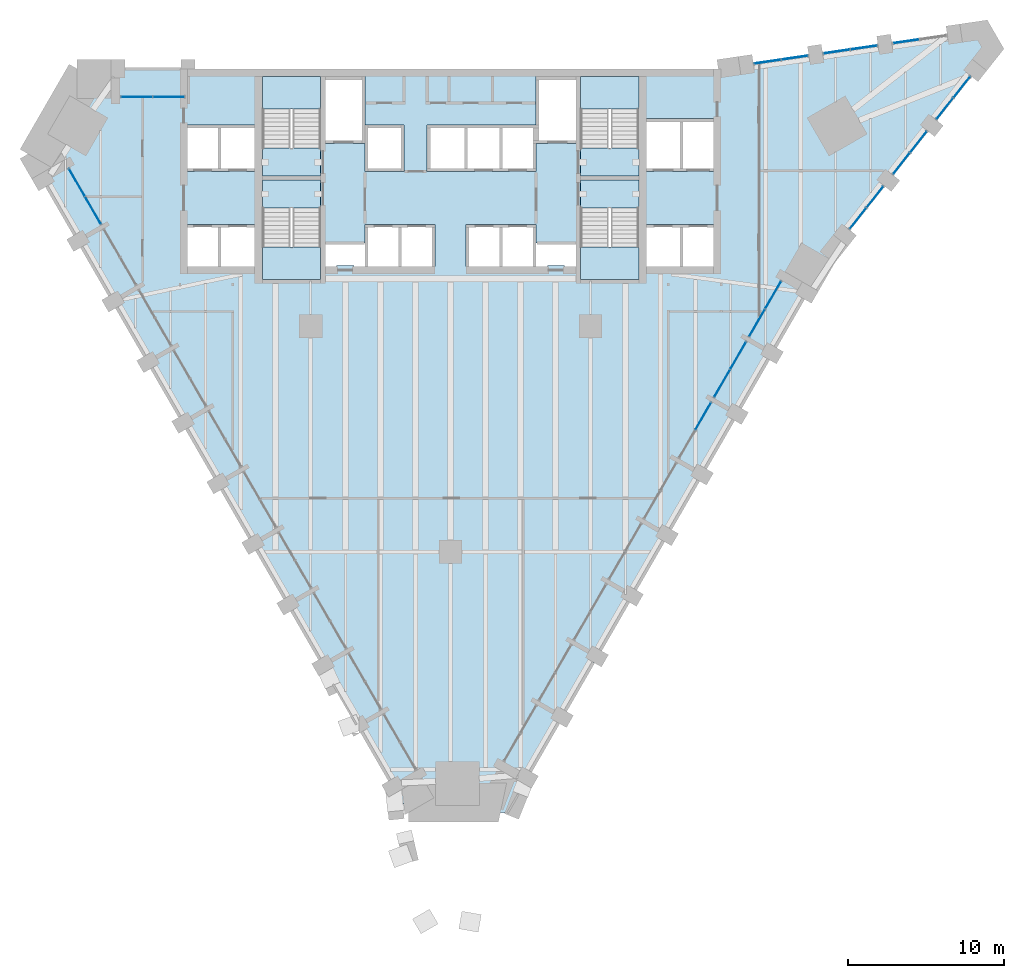
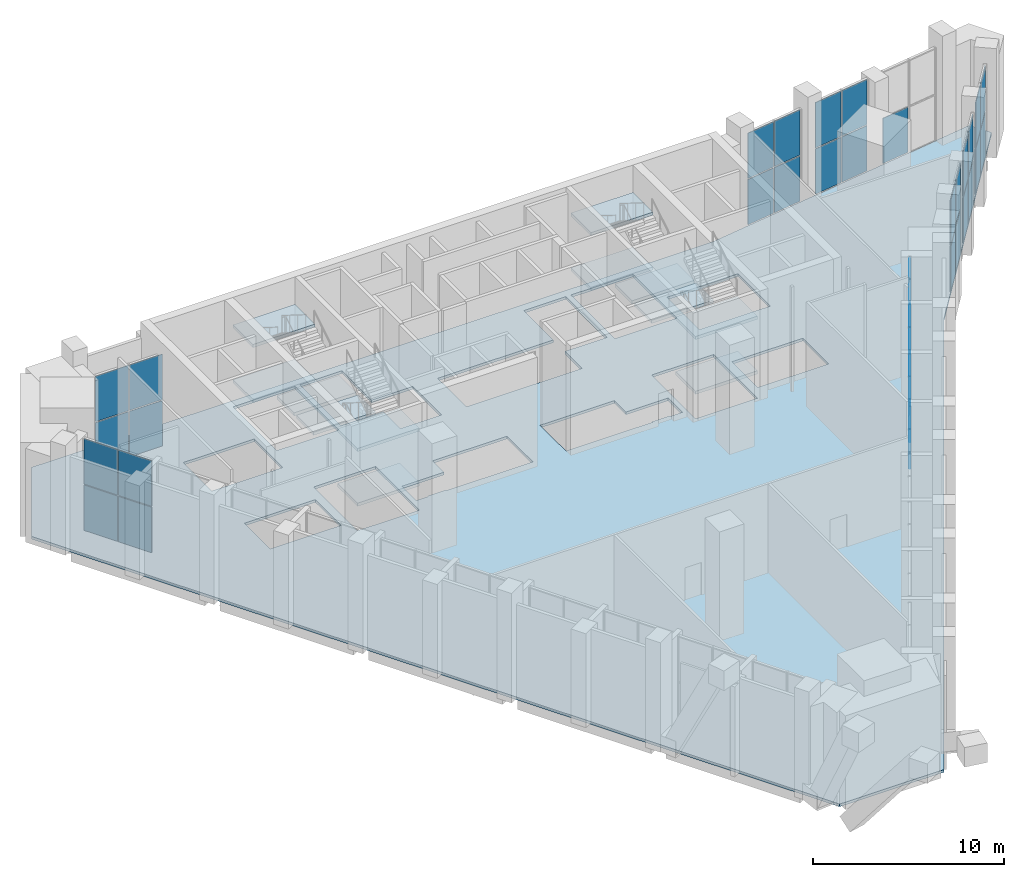
# One storey, part 10 of 17: 39 plates, 13 slabs, 15 elements without a shape of their own.
"""IFC4 building model written with IfcOpenShell, lengths in metres."""

from ifc_helpers import new_model, si_unit, direction, frame, origin, origin_2d, place, context, subcontext, project, spatial, polyline, rectangle, outline, extrude, material, layer, layer_set, type_object, element, aggregate, save


model = new_model("IFC4")

# Units and contexts
model_context = context("Model", 3, precision=1e-05, world=origin(), true_north=direction((0.0, 1.0)))
body_context = subcontext(model_context, "Body", "Model", "MODEL_VIEW")
ifc_project = project(units=[si_unit("LENGTHUNIT", "METRE"), si_unit("AREAUNIT", "SQUARE_METRE"), si_unit("VOLUMEUNIT", "CUBIC_METRE"), si_unit("PLANEANGLEUNIT", "RADIAN"), si_unit("MASSUNIT", "GRAM", prefix="KILO")], contexts=[model_context])

# Site, building, storey
site_placement = place(None, origin())
site = spatial("IfcSite", under=ifc_project, at=site_placement, CompositionType="ELEMENT")
building_placement = place(site_placement, origin())
building = spatial("IfcBuilding", under=site, at=building_placement, Name="Calabash Gate Tower", CompositionType="ELEMENT")
storey_placement = place(building_placement, frame((0.0, 0.0, 132.60009765625)))
storey = spatial("IfcBuildingStorey", under=building, at=storey_placement, Name="L31", CompositionType="ELEMENT", Elevation=132.60009765625)

# Slab
ifc_material_1 = material(Name="Concrete C40/50", Category="concrete")
ifc_layer_1 = layer(ifc_material_1, 0.169921875)
ifc_layer_set_1 = layer_set([ifc_layer_1], Name="Composite floor slab 170 Concrete C40/50")
slab_type_1 = type_object("IfcSlabType", Name="Composite floor slab 170 Concrete C40/50", PredefinedType="FLOOR", material=ifc_layer_set_1)
slab_1_placement = place(storey_placement, frame((0.0, 0.0, -0.170166015625)))
element("IfcSlab", 1, at=slab_1_placement, inside=storey, type_object=slab_type_1, Name="Floor slab L31", PredefinedType="FLOOR", context=body_context, shape_type="SweptSolid", body=[
    extrude(outline(polyline([(-27.162353515625, 13.581787109375), (-24.00390625, 19.052490234375), (17.2099609375, 19.052490234375), (34.192138671875, 21.54150390625), (34.856689453125, 20.390625), (24.2099609375, 6.92822265625), (3.60302734375, -28.76416015625), (-2.7138671875, -28.76416015625), (-27.162353515625, 13.581787109375)]), holes=[polyline([(-5.5, 9.052490234375), (-5.5, 7.8525390625), (-8.050048828125, 7.8525390625), (-8.050048828125, 6.3525390625), (-7.324951171875, 6.3525390625), (-7.324951171875, 6.402587890625), (-6.22509765625, 6.402587890625), (-6.22509765625, 6.3525390625), (-5.5, 6.3525390625), (-3.25, 6.3525390625), (-1.0, 6.3525390625), (-1.0, 9.052490234375), (-3.25, 9.052490234375), (-5.5, 9.052490234375)]), polyline([(5.5, 9.052490234375), (3.25, 9.052490234375), (1.0, 9.052490234375), (1.0, 6.3525390625), (3.25, 6.3525390625), (5.5, 6.3525390625), (6.22509765625, 6.3525390625), (6.22509765625, 6.402587890625), (7.324951171875, 6.402587890625), (7.324951171875, 6.3525390625), (8.050048828125, 6.3525390625), (8.050048828125, 7.8525390625), (5.5, 7.8525390625), (5.5, 9.052490234375)]), polyline([(-5.5, 14.252685546875), (-5.5, 12.45263671875), (-3.0, 12.45263671875), (-3.0, 15.45263671875), (-5.5, 15.45263671875), (-5.5, 18.552490234375), (-8.050048828125, 18.552490234375), (-8.050048828125, 14.252685546875), (-5.5, 14.252685546875)]), polyline([(8.050048828125, 18.552490234375), (5.5, 18.552490234375), (5.5, 15.45263671875), (3.25, 15.45263671875), (1.0, 15.45263671875), (-1.5, 15.45263671875), (-1.5, 12.45263671875), (1.0, 12.45263671875), (3.25, 12.45263671875), (5.5, 12.45263671875), (5.5, 14.252685546875), (8.050048828125, 14.252685546875), (8.050048828125, 18.552490234375)]), polyline([(-12.60009765625, 6.3525390625), (-12.60009765625, 9.052490234375), (-14.85009765625, 9.052490234375), (-16.89990234375, 9.052490234375), (-16.89990234375, 6.3525390625), (-14.85009765625, 6.3525390625), (-12.60009765625, 6.3525390625)]), polyline([(-14.85009765625, 12.45263671875), (-12.60009765625, 12.45263671875), (-12.60009765625, 15.45263671875), (-14.85009765625, 15.45263671875), (-16.89990234375, 15.45263671875), (-16.89990234375, 12.45263671875), (-14.85009765625, 12.45263671875)]), polyline([(14.85009765625, 6.3525390625), (16.89990234375, 6.3525390625), (16.89990234375, 9.052490234375), (14.85009765625, 9.052490234375), (12.60009765625, 9.052490234375), (12.60009765625, 6.3525390625), (14.85009765625, 6.3525390625)]), polyline([(14.85009765625, 12.45263671875), (16.89990234375, 12.45263671875), (16.89990234375, 15.8525390625), (14.85009765625, 15.8525390625), (12.60009765625, 15.8525390625), (12.60009765625, 12.45263671875), (14.85009765625, 12.45263671875)]), polyline([(-8.35009765625, 18.552490234375), (-12.10009765625, 18.552490234375), (-12.10009765625, 13.95263671875), (-8.35009765625, 13.95263671875), (-8.35009765625, 18.552490234375)]), polyline([(-12.10009765625, 10.1025390625), (-12.10009765625, 5.502685546875), (-8.35009765625, 5.502685546875), (-8.35009765625, 10.1025390625), (-12.10009765625, 10.1025390625)]), polyline([(8.35009765625, 13.95263671875), (12.10009765625, 13.95263671875), (12.10009765625, 18.552490234375), (8.35009765625, 18.552490234375), (8.35009765625, 13.95263671875)]), polyline([(12.10009765625, 5.502685546875), (12.10009765625, 10.1025390625), (8.35009765625, 10.1025390625), (8.35009765625, 5.502685546875), (12.10009765625, 5.502685546875)])]), origin(), (0.0, 0.0, 1.0), 0.170166015625),
])

# Curtain wall, plates
ifc_material_2 = material(Name="Anodised aluminium frame, bronze finish, clear laminated low-emissivity glazing", Category="aluminium")
curtain_wall_type_1 = type_object("IfcCurtainWallType", Name="Curtain wall CWS sky lobby wall", PredefinedType="NOTDEFINED", material=ifc_material_2)
curtain_wall_1_placement = place(storey_placement, origin())
curtain_wall_1 = element("IfcCurtainWall", 2, at=curtain_wall_1_placement, inside=storey, type_object=curtain_wall_type_1, Name="Curtain wall CWS L31 SW0.1", PredefinedType="NOTDEFINED")
ifc_material_3 = material(Name="Clear laminated low-emissivity glazing", Category="glass")
ifc_layer_2 = layer(ifc_material_3, 0.035888671875)
ifc_layer_set_2 = layer_set([ifc_layer_2], Name="Glass panel CWS 36")
plate_type_1 = type_object("IfcPlateType", Name="Glass panel CWS 36", PredefinedType="CURTAIN_PANEL", material=ifc_layer_set_2)
plate_1_placement = place(storey_placement, frame((-24.021240234375, 11.7412109375, 0.06494140625), z_axis=(0.0, 0.0, 1.0), x_axis=(0.500000071751, -0.866025362359, 0.0)))
plate_1 = element("IfcPlate", 3, at=plate_1_placement, type_object=plate_type_1, Name="CWS panel 1.1", PredefinedType="CURTAIN_PANEL", context=body_context, shape_type="SweptSolid", body=[
    extrude(rectangle(XDim=2.00244140625, YDim=0.035888671875, at=origin_2d()), origin(), (0.0, 0.0, 1.0), 2.902587890625),
])
plate_2_placement = place(storey_placement, frame((-24.021240234375, 11.7412109375, 3.0322265625), z_axis=(0.0, 0.0, 1.0), x_axis=(0.500000071751, -0.866025362359, 0.0)))
plate_2 = element("IfcPlate", 4, at=plate_2_placement, type_object=plate_type_1, Name="CWS panel 1.2", PredefinedType="CURTAIN_PANEL", context=body_context, shape_type="SweptSolid", body=[
    extrude(rectangle(XDim=2.00244140625, YDim=0.035888671875, at=origin_2d()), origin(), (0.0, 0.0, 1.0), 2.902587890625),
])
plate_3_placement = place(storey_placement, frame((-22.987548828125, 9.95068359375, 0.06494140625), z_axis=(0.0, 0.0, 1.0), x_axis=(0.500000071751, -0.866025362359, 0.0)))
plate_3 = element("IfcPlate", 5, at=plate_3_placement, type_object=plate_type_1, Name="CWS panel 2.1", PredefinedType="CURTAIN_PANEL", context=body_context, shape_type="SweptSolid", body=[
    extrude(rectangle(XDim=2.00244140625, YDim=0.035888671875, at=origin_2d()), origin(), (0.0, 0.0, 1.0), 2.902587890625),
])
plate_4_placement = place(storey_placement, frame((-22.987548828125, 9.95068359375, 3.0322265625), z_axis=(0.0, 0.0, 1.0), x_axis=(0.500000071751, -0.866025362359, 0.0)))
plate_4 = element("IfcPlate", 6, at=plate_4_placement, type_object=plate_type_1, Name="CWS panel 2.2", PredefinedType="CURTAIN_PANEL", context=body_context, shape_type="SweptSolid", body=[
    extrude(rectangle(XDim=2.00244140625, YDim=0.035888671875, at=origin_2d()), origin(), (0.0, 0.0, 1.0), 2.902587890625),
])
aggregate(curtain_wall_1, [plate_1, plate_2, plate_3, plate_4])

curtain_wall_2_placement = place(storey_placement, origin())
curtain_wall_2 = element("IfcCurtainWall", 7, at=curtain_wall_2_placement, inside=storey, type_object=curtain_wall_type_1, Name="Curtain wall CWS L31 SE2.6", PredefinedType="NOTDEFINED")
plate_5_placement = place(storey_placement, frame((16.239501953125, -3.277099609375, 0.06494140625), z_axis=(0.0, 0.0, 1.0), x_axis=(0.499999968652, 0.866025421884, 0.0)))
plate_5 = element("IfcPlate", 8, at=plate_5_placement, type_object=plate_type_1, Name="CWS panel 2.1", PredefinedType="CURTAIN_PANEL", context=body_context, shape_type="SweptSolid", body=[
    extrude(rectangle(XDim=2.00244140625, YDim=0.035888671875, at=origin_2d()), origin(), (0.0, 0.0, 1.0), 2.902587890625),
])
plate_6_placement = place(storey_placement, frame((16.239501953125, -3.277099609375, 3.0322265625), z_axis=(0.0, 0.0, 1.0), x_axis=(0.499999968652, 0.866025421884, 0.0)))
plate_6 = element("IfcPlate", 9, at=plate_6_placement, type_object=plate_type_1, Name="CWS panel 2.2", PredefinedType="CURTAIN_PANEL", context=body_context, shape_type="SweptSolid", body=[
    extrude(rectangle(XDim=2.00244140625, YDim=0.035888671875, at=origin_2d()), origin(), (0.0, 0.0, 1.0), 2.902587890625),
])
aggregate(curtain_wall_2, [plate_5, plate_6])

curtain_wall_3_placement = place(storey_placement, origin())
curtain_wall_3 = element("IfcCurtainWall", 10, at=curtain_wall_3_placement, inside=storey, type_object=curtain_wall_type_1, Name="Curtain wall CWS L31 SE2.7", PredefinedType="NOTDEFINED")
plate_7_placement = place(storey_placement, frame((17.455810546875, -1.17041015625, 0.06494140625), z_axis=(0.0, 0.0, 1.0), x_axis=(0.499999968652, 0.866025421884, 0.0)))
plate_7 = element("IfcPlate", 11, at=plate_7_placement, type_object=plate_type_1, Name="CWS panel 1.1", PredefinedType="CURTAIN_PANEL", context=body_context, shape_type="SweptSolid", body=[
    extrude(rectangle(XDim=2.00244140625, YDim=0.035888671875, at=origin_2d()), origin(), (0.0, 0.0, 1.0), 2.902587890625),
])
plate_8_placement = place(storey_placement, frame((17.455810546875, -1.17041015625, 3.0322265625), z_axis=(0.0, 0.0, 1.0), x_axis=(0.499999968652, 0.866025421884, 0.0)))
plate_8 = element("IfcPlate", 12, at=plate_8_placement, type_object=plate_type_1, Name="CWS panel 1.2", PredefinedType="CURTAIN_PANEL", context=body_context, shape_type="SweptSolid", body=[
    extrude(rectangle(XDim=2.00244140625, YDim=0.035888671875, at=origin_2d()), origin(), (0.0, 0.0, 1.0), 2.902587890625),
])
plate_9_placement = place(storey_placement, frame((18.489501953125, 0.6201171875, 0.06494140625), z_axis=(0.0, 0.0, 1.0), x_axis=(0.499999968652, 0.866025421884, 0.0)))
plate_9 = element("IfcPlate", 13, at=plate_9_placement, type_object=plate_type_1, Name="CWS panel 2.1", PredefinedType="CURTAIN_PANEL", context=body_context, shape_type="SweptSolid", body=[
    extrude(rectangle(XDim=2.00244140625, YDim=0.035888671875, at=origin_2d()), origin(), (0.0, 0.0, 1.0), 2.902587890625),
])
plate_10_placement = place(storey_placement, frame((18.489501953125, 0.6201171875, 3.0322265625), z_axis=(0.0, 0.0, 1.0), x_axis=(0.499999968652, 0.866025421884, 0.0)))
plate_10 = element("IfcPlate", 14, at=plate_10_placement, type_object=plate_type_1, Name="CWS panel 2.2", PredefinedType="CURTAIN_PANEL", context=body_context, shape_type="SweptSolid", body=[
    extrude(rectangle(XDim=2.00244140625, YDim=0.035888671875, at=origin_2d()), origin(), (0.0, 0.0, 1.0), 2.902587890625),
])
aggregate(curtain_wall_3, [plate_7, plate_8, plate_9, plate_10])

curtain_wall_4_placement = place(storey_placement, origin())
curtain_wall_4 = element("IfcCurtainWall", 15, at=curtain_wall_4_placement, inside=storey, type_object=curtain_wall_type_1, Name="Curtain wall CWS L31 SE2.8", PredefinedType="NOTDEFINED")
plate_11_placement = place(storey_placement, frame((19.705810546875, 2.726806640625, 0.06494140625), z_axis=(0.0, 0.0, 1.0), x_axis=(0.50000014722, 0.866025318787, 0.0)))
plate_11 = element("IfcPlate", 16, at=plate_11_placement, type_object=plate_type_1, Name="CWS panel 1.1", PredefinedType="CURTAIN_PANEL", context=body_context, shape_type="SweptSolid", body=[
    extrude(rectangle(XDim=2.00244140625, YDim=0.035888671875, at=origin_2d()), origin(), (0.0, 0.0, 1.0), 2.862548828125),
])
plate_12_placement = place(storey_placement, frame((19.705810546875, 2.726806640625, 2.99267578125), z_axis=(0.0, 0.0, 1.0), x_axis=(0.50000014722, 0.866025318787, 0.0)))
plate_12 = element("IfcPlate", 17, at=plate_12_placement, type_object=plate_type_1, Name="CWS panel 1.2", PredefinedType="CURTAIN_PANEL", context=body_context, shape_type="SweptSolid", body=[
    extrude(rectangle(XDim=2.00244140625, YDim=0.035888671875, at=origin_2d()), origin(), (0.0, 0.0, 1.0), 2.862548828125),
])
plate_13_placement = place(storey_placement, frame((20.739501953125, 4.51708984375, 0.06494140625), z_axis=(0.0, 0.0, 1.0), x_axis=(0.50000014722, 0.866025318787, 0.0)))
plate_13 = element("IfcPlate", 18, at=plate_13_placement, type_object=plate_type_1, Name="CWS panel 2.1", PredefinedType="CURTAIN_PANEL", context=body_context, shape_type="SweptSolid", body=[
    extrude(rectangle(XDim=2.00244140625, YDim=0.035888671875, at=origin_2d()), origin(), (0.0, 0.0, 1.0), 2.862548828125),
])
plate_14_placement = place(storey_placement, frame((20.739501953125, 4.51708984375, 2.99267578125), z_axis=(0.0, 0.0, 1.0), x_axis=(0.50000014722, 0.866025318787, 0.0)))
plate_14 = element("IfcPlate", 19, at=plate_14_placement, type_object=plate_type_1, Name="CWS panel 2.2", PredefinedType="CURTAIN_PANEL", context=body_context, shape_type="SweptSolid", body=[
    extrude(rectangle(XDim=2.00244140625, YDim=0.035888671875, at=origin_2d()), origin(), (0.0, 0.0, 1.0), 2.862548828125),
])
aggregate(curtain_wall_4, [plate_11, plate_12, plate_13, plate_14])

curtain_wall_5_placement = place(storey_placement, origin())
curtain_wall_5 = element("IfcCurtainWall", 20, at=curtain_wall_5_placement, inside=storey, type_object=curtain_wall_type_1, Name="Curtain wall CWS L31 N6.8", PredefinedType="NOTDEFINED")
plate_15_placement = place(storey_placement, frame((-18.113037109375, 17.25244140625, 0.06494140625), z_axis=(0.0, 0.0, 1.0), x_axis=(-1.0, 0.0, 0.0)))
plate_15 = element("IfcPlate", 21, at=plate_15_placement, type_object=plate_type_1, Name="CWS panel 1.1", PredefinedType="CURTAIN_PANEL", context=body_context, shape_type="SweptSolid", body=[
    extrude(rectangle(XDim=2.00244140625, YDim=0.035888671875, at=origin_2d()), origin(), (0.0, 0.0, 1.0), 2.902587890625),
])
plate_16_placement = place(storey_placement, frame((-18.113037109375, 17.25244140625, 3.0322265625), z_axis=(0.0, 0.0, 1.0), x_axis=(-1.0, 0.0, 0.0)))
plate_16 = element("IfcPlate", 22, at=plate_16_placement, type_object=plate_type_1, Name="CWS panel 1.2", PredefinedType="CURTAIN_PANEL", context=body_context, shape_type="SweptSolid", body=[
    extrude(rectangle(XDim=2.00244140625, YDim=0.035888671875, at=origin_2d()), origin(), (0.0, 0.0, 1.0), 2.902587890625),
])
plate_17_placement = place(storey_placement, frame((-20.1806640625, 17.25244140625, 0.06494140625), z_axis=(0.0, 0.0, 1.0), x_axis=(-1.0, 0.0, 0.0)))
plate_17 = element("IfcPlate", 23, at=plate_17_placement, type_object=plate_type_1, Name="CWS panel 2.1", PredefinedType="CURTAIN_PANEL", context=body_context, shape_type="SweptSolid", body=[
    extrude(rectangle(XDim=2.00244140625, YDim=0.035888671875, at=origin_2d()), origin(), (0.0, 0.0, 1.0), 2.902587890625),
])
plate_18_placement = place(storey_placement, frame((-20.1806640625, 17.25244140625, 3.0322265625), z_axis=(0.0, 0.0, 1.0), x_axis=(-1.0, 0.0, 0.0)))
plate_18 = element("IfcPlate", 24, at=plate_18_placement, type_object=plate_type_1, Name="CWS panel 2.2", PredefinedType="CURTAIN_PANEL", context=body_context, shape_type="SweptSolid", body=[
    extrude(rectangle(XDim=2.00244140625, YDim=0.035888671875, at=origin_2d()), origin(), (0.0, 0.0, 1.0), 2.902587890625),
])
aggregate(curtain_wall_5, [plate_15, plate_16, plate_17, plate_18])

ifc_material_4 = material(Name="Anodised aluminium frame, bronze finish, clear laminated impact-rated glazing", Category="aluminium")
curtain_wall_type_2 = type_object("IfcCurtainWallType", Name="Curtain wall CWW wedge prow wall", PredefinedType="NOTDEFINED", material=ifc_material_4)
curtain_wall_6_placement = place(storey_placement, origin())
curtain_wall_6 = element("IfcCurtainWall", 25, at=curtain_wall_6_placement, inside=storey, type_object=curtain_wall_type_2, Name="Curtain wall CWW L31 wedge3.1", PredefinedType="NOTDEFINED")
ifc_material_5 = material(Name="Clear laminated impact-rated glazing", Category="glass")
ifc_layer_3 = layer(ifc_material_5, 0.0400390625)
ifc_layer_set_3 = layer_set([ifc_layer_3], Name="Glass panel CWW 40")
plate_type_2 = type_object("IfcPlateType", Name="Glass panel CWW 40", PredefinedType="CURTAIN_PANEL", material=ifc_layer_set_3)
plate_19_placement = place(storey_placement, frame((26.194580078125, 9.4375, 0.06982421875), z_axis=(0.0, 0.0, 1.0), x_axis=(0.62030136175, 0.7843635768, 0.0)))
plate_19 = element("IfcPlate", 26, at=plate_19_placement, type_object=plate_type_2, Name="CWW panel 1.1", PredefinedType="CURTAIN_PANEL", context=body_context, shape_type="SweptSolid", body=[
    extrude(rectangle(XDim=1.695068359375, YDim=0.0400390625, at=origin_2d()), origin(), (0.0, 0.0, 1.0), 2.89501953125),
])
plate_20_placement = place(storey_placement, frame((26.194580078125, 9.4375, 3.034912109375), z_axis=(0.0, 0.0, 1.0), x_axis=(0.62030136175, 0.7843635768, 0.0)))
plate_20 = element("IfcPlate", 27, at=plate_20_placement, type_object=plate_type_2, Name="CWW panel 1.2", PredefinedType="CURTAIN_PANEL", context=body_context, shape_type="SweptSolid", body=[
    extrude(rectangle(XDim=1.695068359375, YDim=0.0400390625, at=origin_2d()), origin(), (0.0, 0.0, 1.0), 2.89501953125),
])
plate_21_placement = place(storey_placement, frame((27.289306640625, 10.822021484375, 0.06982421875), z_axis=(0.0, 0.0, 1.0), x_axis=(0.62030136175, 0.7843635768, 0.0)))
plate_21 = element("IfcPlate", 28, at=plate_21_placement, type_object=plate_type_2, Name="CWW panel 2.1", PredefinedType="CURTAIN_PANEL", context=body_context, shape_type="SweptSolid", body=[
    extrude(rectangle(XDim=1.695068359375, YDim=0.0400390625, at=origin_2d()), origin(), (0.0, 0.0, 1.0), 2.89501953125),
])
plate_22_placement = place(storey_placement, frame((27.289306640625, 10.822021484375, 3.034912109375), z_axis=(0.0, 0.0, 1.0), x_axis=(0.62030136175, 0.7843635768, 0.0)))
plate_22 = element("IfcPlate", 29, at=plate_22_placement, type_object=plate_type_2, Name="CWW panel 2.2", PredefinedType="CURTAIN_PANEL", context=body_context, shape_type="SweptSolid", body=[
    extrude(rectangle(XDim=1.695068359375, YDim=0.0400390625, at=origin_2d()), origin(), (0.0, 0.0, 1.0), 2.89501953125),
])
aggregate(curtain_wall_6, [plate_19, plate_20, plate_21, plate_22])

curtain_wall_7_placement = place(storey_placement, origin())
curtain_wall_7 = element("IfcCurtainWall", 30, at=curtain_wall_7_placement, inside=storey, type_object=curtain_wall_type_2, Name="Curtain wall CWW L31 wedge3.2", PredefinedType="NOTDEFINED")
plate_23_placement = place(storey_placement, frame((28.98583984375, 12.96728515625, 0.06982421875), z_axis=(0.0, 0.0, 1.0), x_axis=(0.620301190861, 0.784363711945, 0.0)))
plate_23 = element("IfcPlate", 31, at=plate_23_placement, type_object=plate_type_2, Name="CWW panel 1.1", PredefinedType="CURTAIN_PANEL", context=body_context, shape_type="SweptSolid", body=[
    extrude(rectangle(XDim=1.695068359375, YDim=0.0400390625, at=origin_2d()), origin(), (0.0, 0.0, 1.0), 2.89501953125),
])
plate_24_placement = place(storey_placement, frame((28.98583984375, 12.96728515625, 3.034912109375), z_axis=(0.0, 0.0, 1.0), x_axis=(0.620301190861, 0.784363711945, 0.0)))
plate_24 = element("IfcPlate", 32, at=plate_24_placement, type_object=plate_type_2, Name="CWW panel 1.2", PredefinedType="CURTAIN_PANEL", context=body_context, shape_type="SweptSolid", body=[
    extrude(rectangle(XDim=1.695068359375, YDim=0.0400390625, at=origin_2d()), origin(), (0.0, 0.0, 1.0), 2.89501953125),
])
plate_25_placement = place(storey_placement, frame((30.080810546875, 14.3515625, 0.06982421875), z_axis=(0.0, 0.0, 1.0), x_axis=(0.620301190861, 0.784363711945, 0.0)))
plate_25 = element("IfcPlate", 33, at=plate_25_placement, type_object=plate_type_2, Name="CWW panel 2.1", PredefinedType="CURTAIN_PANEL", context=body_context, shape_type="SweptSolid", body=[
    extrude(rectangle(XDim=1.695068359375, YDim=0.0400390625, at=origin_2d()), origin(), (0.0, 0.0, 1.0), 2.89501953125),
])
plate_26_placement = place(storey_placement, frame((30.080810546875, 14.3515625, 3.034912109375), z_axis=(0.0, 0.0, 1.0), x_axis=(0.620301190861, 0.784363711945, 0.0)))
plate_26 = element("IfcPlate", 34, at=plate_26_placement, type_object=plate_type_2, Name="CWW panel 2.2", PredefinedType="CURTAIN_PANEL", context=body_context, shape_type="SweptSolid", body=[
    extrude(rectangle(XDim=1.695068359375, YDim=0.0400390625, at=origin_2d()), origin(), (0.0, 0.0, 1.0), 2.89501953125),
])
aggregate(curtain_wall_7, [plate_23, plate_24, plate_25, plate_26])

curtain_wall_8_placement = place(storey_placement, origin())
curtain_wall_8 = element("IfcCurtainWall", 35, at=curtain_wall_8_placement, inside=storey, type_object=curtain_wall_type_2, Name="Curtain wall CWW L31 wedge3.3", PredefinedType="NOTDEFINED")
plate_27_placement = place(storey_placement, frame((31.77734375, 16.496826171875, 0.06982421875), z_axis=(0.0, 0.0, 1.0), x_axis=(0.620301055702, 0.784363818833, 0.0)))
plate_27 = element("IfcPlate", 36, at=plate_27_placement, type_object=plate_type_2, Name="CWW panel 1.1", PredefinedType="CURTAIN_PANEL", context=body_context, shape_type="SweptSolid", body=[
    extrude(rectangle(XDim=1.695068359375, YDim=0.0400390625, at=origin_2d()), origin(), (0.0, 0.0, 1.0), 2.89501953125),
])
plate_28_placement = place(storey_placement, frame((31.77734375, 16.496826171875, 3.034912109375), z_axis=(0.0, 0.0, 1.0), x_axis=(0.620301055702, 0.784363818833, 0.0)))
plate_28 = element("IfcPlate", 37, at=plate_28_placement, type_object=plate_type_2, Name="CWW panel 1.2", PredefinedType="CURTAIN_PANEL", context=body_context, shape_type="SweptSolid", body=[
    extrude(rectangle(XDim=1.695068359375, YDim=0.0400390625, at=origin_2d()), origin(), (0.0, 0.0, 1.0), 2.89501953125),
])
plate_29_placement = place(storey_placement, frame((32.8720703125, 17.88134765625, 0.06982421875), z_axis=(0.0, 0.0, 1.0), x_axis=(0.620301055702, 0.784363818833, 0.0)))
plate_29 = element("IfcPlate", 38, at=plate_29_placement, type_object=plate_type_2, Name="CWW panel 2.1", PredefinedType="CURTAIN_PANEL", context=body_context, shape_type="SweptSolid", body=[
    extrude(rectangle(XDim=1.695068359375, YDim=0.0400390625, at=origin_2d()), origin(), (0.0, 0.0, 1.0), 2.89501953125),
])
plate_30_placement = place(storey_placement, frame((32.8720703125, 17.88134765625, 3.034912109375), z_axis=(0.0, 0.0, 1.0), x_axis=(0.620301055702, 0.784363818833, 0.0)))
plate_30 = element("IfcPlate", 39, at=plate_30_placement, type_object=plate_type_2, Name="CWW panel 2.2", PredefinedType="CURTAIN_PANEL", context=body_context, shape_type="SweptSolid", body=[
    extrude(rectangle(XDim=1.695068359375, YDim=0.0400390625, at=origin_2d()), origin(), (0.0, 0.0, 1.0), 2.89501953125),
])
aggregate(curtain_wall_8, [plate_27, plate_28, plate_29, plate_30])

# Curtain wall, plate
curtain_wall_9_placement = place(storey_placement, origin())
curtain_wall_9 = element("IfcCurtainWall", 40, at=curtain_wall_9_placement, inside=storey, type_object=curtain_wall_type_2, Name="Curtain wall CWW L31 wedge5.1", PredefinedType="NOTDEFINED")
plate_31_placement = place(storey_placement, frame((29.280517578125, 20.821533203125, 0.06982421875), z_axis=(0.0, 0.0, 1.0), x_axis=(-0.989429496293, -0.145014729823, 0.0)))
plate_31 = element("IfcPlate", 41, at=plate_31_placement, type_object=plate_type_2, Name="CWW panel 2.1", PredefinedType="CURTAIN_PANEL", context=body_context, shape_type="SweptSolid", body=[
    extrude(rectangle(XDim=1.695068359375, YDim=0.0400390625, at=origin_2d()), origin(), (0.0, 0.0, 1.0), 2.89501953125),
])
aggregate(curtain_wall_9, [plate_31])

# Curtain wall, plates
curtain_wall_10_placement = place(storey_placement, origin())
curtain_wall_10 = element("IfcCurtainWall", 42, at=curtain_wall_10_placement, inside=storey, type_object=curtain_wall_type_2, Name="Curtain wall CWW L31 wedge5.2", PredefinedType="NOTDEFINED")
plate_32_placement = place(storey_placement, frame((26.57421875, 20.425048828125, 0.06982421875), z_axis=(0.0, 0.0, 1.0), x_axis=(-0.989429496293, -0.145014729823, 0.0)))
plate_32 = element("IfcPlate", 43, at=plate_32_placement, type_object=plate_type_2, Name="CWW panel 1.1", PredefinedType="CURTAIN_PANEL", context=body_context, shape_type="SweptSolid", body=[
    extrude(rectangle(XDim=1.695068359375, YDim=0.0400390625, at=origin_2d()), origin(), (0.0, 0.0, 1.0), 2.89501953125),
])
plate_33_placement = place(storey_placement, frame((26.57421875, 20.425048828125, 3.034912109375), z_axis=(0.0, 0.0, 1.0), x_axis=(-0.989429496293, -0.145014729823, 0.0)))
plate_33 = element("IfcPlate", 44, at=plate_33_placement, type_object=plate_type_2, Name="CWW panel 1.2", PredefinedType="CURTAIN_PANEL", context=body_context, shape_type="SweptSolid", body=[
    extrude(rectangle(XDim=1.695068359375, YDim=0.0400390625, at=origin_2d()), origin(), (0.0, 0.0, 1.0), 2.89501953125),
])
plate_34_placement = place(storey_placement, frame((24.827880859375, 20.169189453125, 0.06982421875), z_axis=(0.0, 0.0, 1.0), x_axis=(-0.989429496293, -0.145014729823, 0.0)))
plate_34 = element("IfcPlate", 45, at=plate_34_placement, type_object=plate_type_2, Name="CWW panel 2.1", PredefinedType="CURTAIN_PANEL", context=body_context, shape_type="SweptSolid", body=[
    extrude(rectangle(XDim=1.695068359375, YDim=0.0400390625, at=origin_2d()), origin(), (0.0, 0.0, 1.0), 2.89501953125),
])
plate_35_placement = place(storey_placement, frame((24.827880859375, 20.169189453125, 3.034912109375), z_axis=(0.0, 0.0, 1.0), x_axis=(-0.989429496293, -0.145014729823, 0.0)))
plate_35 = element("IfcPlate", 46, at=plate_35_placement, type_object=plate_type_2, Name="CWW panel 2.2", PredefinedType="CURTAIN_PANEL", context=body_context, shape_type="SweptSolid", body=[
    extrude(rectangle(XDim=1.695068359375, YDim=0.0400390625, at=origin_2d()), origin(), (0.0, 0.0, 1.0), 2.89501953125),
])
aggregate(curtain_wall_10, [plate_32, plate_33, plate_34, plate_35])

curtain_wall_11_placement = place(storey_placement, origin())
curtain_wall_11 = element("IfcCurtainWall", 47, at=curtain_wall_11_placement, inside=storey, type_object=curtain_wall_type_2, Name="Curtain wall CWW L31 wedge5.3", PredefinedType="NOTDEFINED")
plate_36_placement = place(storey_placement, frame((22.121826171875, 19.7724609375, 0.06982421875), z_axis=(0.0, 0.0, 1.0), x_axis=(-0.989429496293, -0.145014729823, 0.0)))
plate_36 = element("IfcPlate", 48, at=plate_36_placement, type_object=plate_type_2, Name="CWW panel 1.1", PredefinedType="CURTAIN_PANEL", context=body_context, shape_type="SweptSolid", body=[
    extrude(rectangle(XDim=1.695068359375, YDim=0.0400390625, at=origin_2d()), origin(), (0.0, 0.0, 1.0), 2.89501953125),
])
plate_37_placement = place(storey_placement, frame((22.121826171875, 19.7724609375, 3.034912109375), z_axis=(0.0, 0.0, 1.0), x_axis=(-0.989429496293, -0.145014729823, 0.0)))
plate_37 = element("IfcPlate", 49, at=plate_37_placement, type_object=plate_type_2, Name="CWW panel 1.2", PredefinedType="CURTAIN_PANEL", context=body_context, shape_type="SweptSolid", body=[
    extrude(rectangle(XDim=1.695068359375, YDim=0.0400390625, at=origin_2d()), origin(), (0.0, 0.0, 1.0), 2.89501953125),
])
plate_38_placement = place(storey_placement, frame((20.37548828125, 19.5166015625, 0.06982421875), z_axis=(0.0, 0.0, 1.0), x_axis=(-0.989429496293, -0.145014729823, 0.0)))
plate_38 = element("IfcPlate", 50, at=plate_38_placement, type_object=plate_type_2, Name="CWW panel 2.1", PredefinedType="CURTAIN_PANEL", context=body_context, shape_type="SweptSolid", body=[
    extrude(rectangle(XDim=1.695068359375, YDim=0.0400390625, at=origin_2d()), origin(), (0.0, 0.0, 1.0), 2.89501953125),
])
plate_39_placement = place(storey_placement, frame((20.37548828125, 19.5166015625, 3.034912109375), z_axis=(0.0, 0.0, 1.0), x_axis=(-0.989429496293, -0.145014729823, 0.0)))
plate_39 = element("IfcPlate", 51, at=plate_39_placement, type_object=plate_type_2, Name="CWW panel 2.2", PredefinedType="CURTAIN_PANEL", context=body_context, shape_type="SweptSolid", body=[
    extrude(rectangle(XDim=1.695068359375, YDim=0.0400390625, at=origin_2d()), origin(), (0.0, 0.0, 1.0), 2.89501953125),
])
aggregate(curtain_wall_11, [plate_36, plate_37, plate_38, plate_39])

# Stair, slabs
ifc_material_6 = material(Name="Concrete C40/50", Category="concrete")
stair_type = type_object("IfcStairType", Name="Exit stair 40 risers of 175 mm", PredefinedType="HALF_TURN_STAIR", material=ifc_material_6)
stair_1_placement = place(storey_placement, origin())
stair_1 = element("IfcStair", 52, at=stair_1_placement, inside=storey, type_object=stair_type, Name="L31 Exit stair ST1", PredefinedType="HALF_TURN_STAIR")
ifc_material_7 = material(Name="Concrete C40/50", Category="concrete")
ifc_layer_4 = layer(ifc_material_7, 0.199951171875)
ifc_layer_set_4 = layer_set([ifc_layer_4], Name="Stair landing SL200")
slab_type_2 = type_object("IfcSlabType", Name="Stair landing SL200", PredefinedType="LANDING", material=ifc_layer_set_4)
slab_2_placement = place(storey_placement, frame((0.0, 0.0, 1.5498046875)))
slab_2 = element("IfcSlab", 53, at=slab_2_placement, type_object=slab_type_2, Name="ST1 landing 1", PredefinedType="LANDING", context=body_context, shape_type="SweptSolid", body=[
    extrude(outline(polyline([(-8.35009765625, 16.463623046875), (-8.35009765625, 18.552490234375), (-12.10009765625, 18.552490234375), (-12.10009765625, 16.463623046875), (-8.35009765625, 16.463623046875)])), origin(), (0.0, 0.0, 1.0), 0.2001953125),
])
slab_3_placement = place(storey_placement, frame((0.0, 0.0, 3.2998046875)))
slab_3 = element("IfcSlab", 54, at=slab_3_placement, type_object=slab_type_2, Name="ST1 landing 2", PredefinedType="LANDING", context=body_context, shape_type="SweptSolid", body=[
    extrude(outline(polyline([(-8.35009765625, 12.152587890625), (-8.35009765625, 13.95263671875), (-12.10009765625, 13.95263671875), (-12.10009765625, 12.152587890625), (-8.35009765625, 12.152587890625)])), origin(), (0.0, 0.0, 1.0), 0.2001953125),
])
slab_4_placement = place(storey_placement, frame((0.0, 0.0, 5.0498046875)))
slab_4 = element("IfcSlab", 55, at=slab_4_placement, type_object=slab_type_2, Name="ST1 landing 3", PredefinedType="LANDING", context=body_context, shape_type="SweptSolid", body=[
    extrude(outline(polyline([(-8.35009765625, 16.463623046875), (-8.35009765625, 18.552490234375), (-12.10009765625, 18.552490234375), (-12.10009765625, 16.463623046875), (-8.35009765625, 16.463623046875)])), origin(), (0.0, 0.0, 1.0), 0.2001953125),
])
aggregate(stair_1, [slab_2, slab_3, slab_4])

stair_2_placement = place(storey_placement, origin())
stair_2 = element("IfcStair", 56, at=stair_2_placement, inside=storey, type_object=stair_type, Name="L31 Exit stair ST2", PredefinedType="HALF_TURN_STAIR")
slab_5_placement = place(storey_placement, frame((0.0, 0.0, 1.5498046875)))
slab_5 = element("IfcSlab", 57, at=slab_5_placement, type_object=slab_type_2, Name="ST2 landing 1", PredefinedType="LANDING", context=body_context, shape_type="SweptSolid", body=[
    extrude(outline(polyline([(-12.10009765625, 7.591552734375), (-12.10009765625, 5.502685546875), (-8.35009765625, 5.502685546875), (-8.35009765625, 7.591552734375), (-12.10009765625, 7.591552734375)])), origin(), (0.0, 0.0, 1.0), 0.2001953125),
])
slab_6_placement = place(storey_placement, frame((0.0, 0.0, 3.2998046875)))
slab_6 = element("IfcSlab", 58, at=slab_6_placement, type_object=slab_type_2, Name="ST2 landing 2", PredefinedType="LANDING", context=body_context, shape_type="SweptSolid", body=[
    extrude(outline(polyline([(-12.10009765625, 11.902587890625), (-12.10009765625, 10.1025390625), (-8.35009765625, 10.1025390625), (-8.35009765625, 11.902587890625), (-12.10009765625, 11.902587890625)])), origin(), (0.0, 0.0, 1.0), 0.2001953125),
])
slab_7_placement = place(storey_placement, frame((0.0, 0.0, 5.0498046875)))
slab_7 = element("IfcSlab", 59, at=slab_7_placement, type_object=slab_type_2, Name="ST2 landing 3", PredefinedType="LANDING", context=body_context, shape_type="SweptSolid", body=[
    extrude(outline(polyline([(-12.10009765625, 7.591552734375), (-12.10009765625, 5.502685546875), (-8.35009765625, 5.502685546875), (-8.35009765625, 7.591552734375), (-12.10009765625, 7.591552734375)])), origin(), (0.0, 0.0, 1.0), 0.2001953125),
])
aggregate(stair_2, [slab_5, slab_6, slab_7])

stair_3_placement = place(storey_placement, origin())
stair_3 = element("IfcStair", 60, at=stair_3_placement, inside=storey, type_object=stair_type, Name="L31 Exit stair ST3", PredefinedType="HALF_TURN_STAIR")
slab_8_placement = place(storey_placement, frame((0.0, 0.0, 1.5498046875)))
slab_8 = element("IfcSlab", 61, at=slab_8_placement, type_object=slab_type_2, Name="ST3 landing 1", PredefinedType="LANDING", context=body_context, shape_type="SweptSolid", body=[
    extrude(outline(polyline([(12.10009765625, 16.463623046875), (12.10009765625, 18.552490234375), (8.35009765625, 18.552490234375), (8.35009765625, 16.463623046875), (12.10009765625, 16.463623046875)])), origin(), (0.0, 0.0, 1.0), 0.2001953125),
])
slab_9_placement = place(storey_placement, frame((0.0, 0.0, 3.2998046875)))
slab_9 = element("IfcSlab", 62, at=slab_9_placement, type_object=slab_type_2, Name="ST3 landing 2", PredefinedType="LANDING", context=body_context, shape_type="SweptSolid", body=[
    extrude(outline(polyline([(12.10009765625, 12.152587890625), (12.10009765625, 13.95263671875), (8.35009765625, 13.95263671875), (8.35009765625, 12.152587890625), (12.10009765625, 12.152587890625)])), origin(), (0.0, 0.0, 1.0), 0.2001953125),
])
slab_10_placement = place(storey_placement, frame((0.0, 0.0, 5.0498046875)))
slab_10 = element("IfcSlab", 63, at=slab_10_placement, type_object=slab_type_2, Name="ST3 landing 3", PredefinedType="LANDING", context=body_context, shape_type="SweptSolid", body=[
    extrude(outline(polyline([(12.10009765625, 16.463623046875), (12.10009765625, 18.552490234375), (8.35009765625, 18.552490234375), (8.35009765625, 16.463623046875), (12.10009765625, 16.463623046875)])), origin(), (0.0, 0.0, 1.0), 0.2001953125),
])
aggregate(stair_3, [slab_8, slab_9, slab_10])

stair_4_placement = place(storey_placement, origin())
stair_4 = element("IfcStair", 64, at=stair_4_placement, inside=storey, type_object=stair_type, Name="L31 Exit stair ST4", PredefinedType="HALF_TURN_STAIR")
slab_11_placement = place(storey_placement, frame((0.0, 0.0, 1.5498046875)))
slab_11 = element("IfcSlab", 65, at=slab_11_placement, type_object=slab_type_2, Name="ST4 landing 1", PredefinedType="LANDING", context=body_context, shape_type="SweptSolid", body=[
    extrude(outline(polyline([(8.35009765625, 7.591552734375), (8.35009765625, 5.502685546875), (12.10009765625, 5.502685546875), (12.10009765625, 7.591552734375), (8.35009765625, 7.591552734375)])), origin(), (0.0, 0.0, 1.0), 0.2001953125),
])
slab_12_placement = place(storey_placement, frame((0.0, 0.0, 3.2998046875)))
slab_12 = element("IfcSlab", 66, at=slab_12_placement, type_object=slab_type_2, Name="ST4 landing 2", PredefinedType="LANDING", context=body_context, shape_type="SweptSolid", body=[
    extrude(outline(polyline([(8.35009765625, 11.902587890625), (8.35009765625, 10.1025390625), (12.10009765625, 10.1025390625), (12.10009765625, 11.902587890625), (8.35009765625, 11.902587890625)])), origin(), (0.0, 0.0, 1.0), 0.2001953125),
])
slab_13_placement = place(storey_placement, frame((0.0, 0.0, 5.0498046875)))
slab_13 = element("IfcSlab", 67, at=slab_13_placement, type_object=slab_type_2, Name="ST4 landing 3", PredefinedType="LANDING", context=body_context, shape_type="SweptSolid", body=[
    extrude(outline(polyline([(8.35009765625, 7.591552734375), (8.35009765625, 5.502685546875), (12.10009765625, 5.502685546875), (12.10009765625, 7.591552734375), (8.35009765625, 7.591552734375)])), origin(), (0.0, 0.0, 1.0), 0.2001953125),
])
aggregate(stair_4, [slab_11, slab_12, slab_13])

save(model, "model.ifc")
